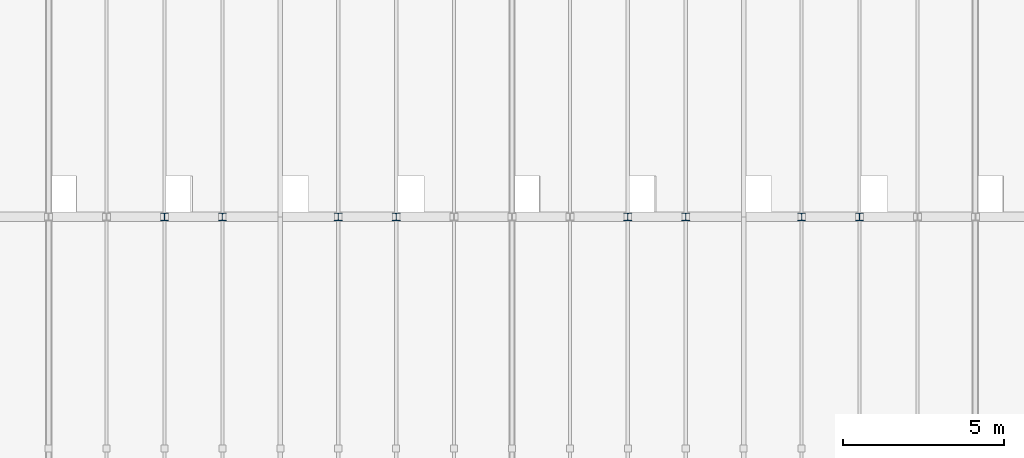
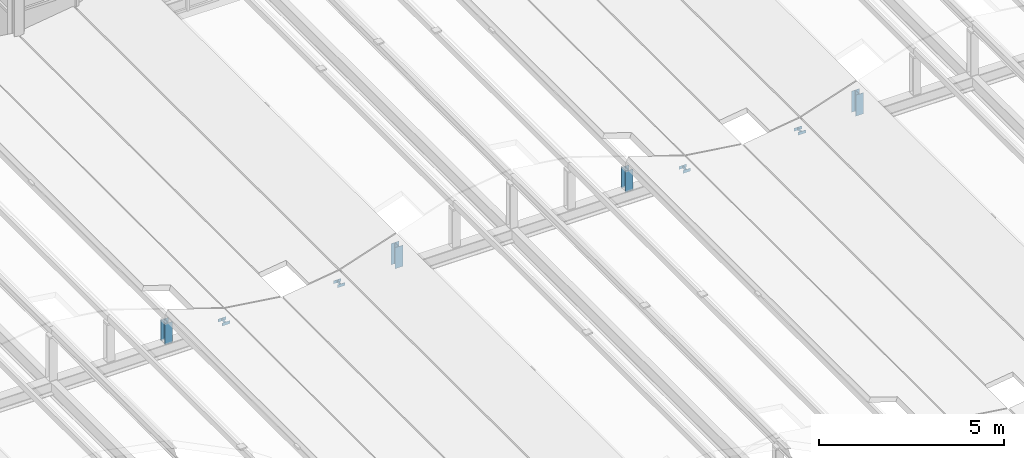
# One storey, part 45 of 83: 8 members.
"""IFC4 building model written with IfcOpenShell, lengths in metres."""

import ifcopenshell
import ifcopenshell.guid

model = None  # the IFC model being written
_history = None  # IfcOwnerHistory: only IFC2X3 demands one
_inside = {}  # id of a spatial element -> (the spatial element, [elements in it])
_under = {}  # id of a project, library or spatial element -> (it, [spatial elements below it])
_declared = {}  # id of a project -> (the project, [libraries it declares])
_typed = {}  # id of a type object -> (the type object, [elements of that type])
_made_of = {}  # id of a material, layer set ... -> (it, [elements and type objects made of it])


def new_model(schema):
    """Start an empty IFC model of exactly this schema.

    Asked for "IFC4X3", IfcOpenShell would pick the latest addendum, in which some entities
    have other attributes; the version numbers below select the first issue.
    IFC2X3 requires an IfcOwnerHistory on every rooted entity: one is made here for all.
    """
    global model, _history
    if schema == "IFC4X3":
        model = ifcopenshell.file(schema_version=(4, 3, 0, 0))
    else:
        model = ifcopenshell.file(schema=schema)
    _inside.clear()
    _under.clear()
    _declared.clear()
    _typed.clear()
    _made_of.clear()
    _history = None
    if model.schema == "IFC2X3":
        org = make("IfcOrganization", Name="unknown")
        user = make(
            "IfcPersonAndOrganization",
            ThePerson=make("IfcPerson", FamilyName="unknown"),
            TheOrganization=org,
        )
        app = make(
            "IfcApplication",
            ApplicationDeveloper=org,
            Version="unknown",
            ApplicationFullName="unknown",
            ApplicationIdentifier="unknown",
        )
        _history = make(
            "IfcOwnerHistory",
            OwningUser=user,
            OwningApplication=app,
            ChangeAction="ADDED",
            CreationDate=0,
        )
    return model


def make(cls, **values):
    """One entity of the class cls with the attributes given. An attribute that is None is left unset."""
    return model.create_entity(
        cls, **{name: value for name, value in values.items() if value is not None}
    )


def rooted(cls, **values):
    """An entity with a GlobalId (a new one), such as an element, a storey or a relation."""
    return make(cls, GlobalId=ifcopenshell.guid.new(), OwnerHistory=_history, **values)


def si_unit(unit_type, name, prefix=None):
    """IfcSIUnit, for example si_unit("LENGTHUNIT", "METRE", prefix="MILLI")."""
    return make("IfcSIUnit", UnitType=unit_type, Prefix=prefix, Name=name)


def assignment(units):
    """IfcUnitAssignment: the units of a project."""
    return None if units is None else make("IfcUnitAssignment", Units=units)


def point(xyz):
    """IfcCartesianPoint."""
    return None if xyz is None else make("IfcCartesianPoint", Coordinates=xyz)


def direction(xyz):
    """IfcDirection."""
    return None if xyz is None else make("IfcDirection", DirectionRatios=xyz)


def frame(location, z_axis=None, x_axis=None):
    """IfcAxis2Placement3D, a coordinate frame: its origin and axes. An axis left out is left unset."""
    return make(
        "IfcAxis2Placement3D",
        Location=point(location),
        Axis=direction(z_axis),
        RefDirection=direction(x_axis),
    )


def frame_2d(location, x_axis=None):
    """IfcAxis2Placement2D, a coordinate frame in the plane: its origin and x axis."""
    return make(
        "IfcAxis2Placement2D", Location=point(location), RefDirection=direction(x_axis)
    )


def origin():
    """The frame at (0, 0, 0) with its axes left unset."""
    return frame((0.0, 0.0, 0.0))


def origin_2d():
    """The frame at (0, 0) in the plane with its x axis left unset."""
    return frame_2d((0.0, 0.0))


def place(relative_to, where):
    """IfcLocalPlacement: puts the frame where relative to a parent placement (None: the world)."""
    return make(
        "IfcLocalPlacement", PlacementRelTo=relative_to, RelativePlacement=where
    )


def context(
    kind, dimensions, precision=None, world=None, true_north=None, identifier=None
):
    """IfcGeometricRepresentationContext, for example the 3D "Model" context."""
    return make(
        "IfcGeometricRepresentationContext",
        ContextIdentifier=identifier,
        ContextType=kind,
        CoordinateSpaceDimension=dimensions,
        Precision=precision,
        WorldCoordinateSystem=world,
        TrueNorth=true_north,
    )


def subcontext(parent, identifier, kind, view, scale=None):
    """IfcGeometricRepresentationSubContext, for example "Body" below "Model"."""
    return make(
        "IfcGeometricRepresentationSubContext",
        ContextIdentifier=identifier,
        ContextType=kind,
        ParentContext=parent,
        TargetScale=scale,
        TargetView=view,
    )


def project(units=None, contexts=None):
    """IfcProject with its units and contexts."""
    return rooted(
        "IfcProject",
        Name="project",
        RepresentationContexts=contexts,
        UnitsInContext=assignment(units),
    )


def spatial(cls, under=None, at=None, **own):
    """A site, building, storey or space (cls), placed at a placement, below another one or the project."""
    s = rooted(cls, ObjectPlacement=at, **own)
    if under is not None:
        _under.setdefault(under.id(), (under, []))[1].append(s)
    return s


def profile(cls, at=None, kind="AREA", **sizes):
    """A parametric profile (cls). Its sizes go by their IFC names, for example OverallWidth=200.0."""
    return make(cls, ProfileType=kind, Position=at, **sizes)


def i_section(**sizes):
    """IfcIShapeProfileDef."""
    return profile("IfcIShapeProfileDef", **sizes)


def extrude(swept, where, along, depth):
    """IfcExtrudedAreaSolid: the profile swept, set in the frame where, extruded along a direction by depth."""
    return make(
        "IfcExtrudedAreaSolid",
        SweptArea=swept,
        Position=where,
        ExtrudedDirection=direction(along),
        Depth=depth,
    )


def shape(context_of_items, identifier, shape_type, items):
    """IfcShapeRepresentation: the items that make up one representation, for example the "Body"."""
    return make(
        "IfcShapeRepresentation",
        ContextOfItems=context_of_items,
        RepresentationIdentifier=identifier,
        RepresentationType=shape_type,
        Items=items,
    )


def material(Name=None, Category=None):
    """IfcMaterial."""
    return make("IfcMaterial", Name=Name, Category=Category)


def material_profile(
    of_material, cross_section, Name=None, Category=None, Priority=None
):
    """IfcMaterialProfile: a cross section and its material."""
    return make(
        "IfcMaterialProfile",
        Name=Name,
        Material=of_material,
        Profile=cross_section,
        Priority=Priority,
        Category=Category,
    )


def profile_set(profiles, Name=None, composite=None):
    """IfcMaterialProfileSet."""
    return make(
        "IfcMaterialProfileSet",
        Name=Name,
        MaterialProfiles=profiles,
        CompositeProfile=composite,
    )


def made_of(thing, what):
    """Note that an element or type object is made of a material, layer set ...; save() writes the relation."""
    if what is not None:
        _made_of.setdefault(what.id(), (what, []))[1].append(thing)
    return thing


def type_object(cls, material=None, **own):
    """A type object (cls), such as IfcWallType, which elements share."""
    return made_of(rooted(cls, **own), material)


def element(
    cls,
    number,
    at=None,
    inside=None,
    cuts=None,
    type_object=None,
    material=None,
    context=None,
    identifier="Body",
    shape_type=None,
    held_by="IfcProductDefinitionShape",
    body=None,
    shapes=None,
    **own,
):
    """One element of the class cls, such as IfcWall. Its Tag is "e" and its number.

    at: its placement. inside: the storey or other place that contains it. cuts: it is an
    opening in that element (IfcRelVoidsElement). A single representation is given by context,
    identifier, shape_type and body (its items); several are given by shapes. held_by: the class
    of the entity that holds the representations. save() writes the other relations.
    """
    e = rooted(cls, Tag="e%d" % number, ObjectPlacement=at, **own)
    if body is not None:
        shapes = [shape(context, identifier, shape_type, body)]
    if shapes is not None:
        e.Representation = make(held_by, Representations=shapes)
    if inside is not None:
        _inside.setdefault(inside.id(), (inside, []))[1].append(e)
    if cuts is not None:
        rooted(
            "IfcRelVoidsElement", RelatingBuildingElement=cuts, RelatedOpeningElement=e
        )
    if type_object is not None:
        _typed.setdefault(type_object.id(), (type_object, []))[1].append(e)
    return made_of(e, material)


def aggregate(whole, parts):
    """IfcRelAggregates: a whole, such as a stair, and the parts it consists of."""
    return rooted("IfcRelAggregates", RelatingObject=whole, RelatedObjects=parts)


def save(model, path):
    """Write the relations noted so far, then the file.

    IfcRelAggregates (storeys below a building ...), IfcRelContainedInSpatialStructure (elements
    in a storey), IfcRelDefinesByType, IfcRelAssociatesMaterial and IfcRelDeclares: one each for
    every whole, place, type object, material and project.
    """
    for whole, parts in _under.values():
        aggregate(whole, parts)
    for where, things in _inside.values():
        rooted(
            "IfcRelContainedInSpatialStructure",
            RelatedElements=things,
            RelatingStructure=where,
        )
    for kind, things in _typed.values():
        rooted("IfcRelDefinesByType", RelatedObjects=things, RelatingType=kind)
    for what, things in _made_of.values():
        rooted("IfcRelAssociatesMaterial", RelatedObjects=things, RelatingMaterial=what)
    for by, libraries in _declared.values():
        rooted("IfcRelDeclares", RelatingContext=by, RelatedDefinitions=libraries)
    model.write(path)


model = new_model("IFC4")

# Units and contexts
model_context = context("Model", 3, precision=1e-05, world=origin(), true_north=direction((0.0, 1.0)))
body_context = subcontext(model_context, "Body", "Model", "MODEL_VIEW")
ifc_project = project(units=[si_unit("LENGTHUNIT", "METRE"), si_unit("AREAUNIT", "SQUARE_METRE"), si_unit("VOLUMEUNIT", "CUBIC_METRE"), si_unit("PLANEANGLEUNIT", "RADIAN"), si_unit("MASSUNIT", "GRAM", prefix="KILO")], contexts=[model_context])

# Site, building, storey
site_placement = place(None, origin())
site = spatial("IfcSite", under=ifc_project, at=site_placement, CompositionType="ELEMENT")
building_placement = place(site_placement, origin())
building = spatial("IfcBuilding", under=site, at=building_placement, Name="Leyfeld Transit Interchange", CompositionType="ELEMENT")
storey_placement = place(building_placement, frame((0.0, 0.0, 5.39990234375)))
storey = spatial("IfcBuildingStorey", under=building, at=storey_placement, Name="L01", CompositionType="ELEMENT", Elevation=5.39990234375)

# Members
ifc_material = material(Name="Steel S355J2", Category="steel")
ifc_material_profile = material_profile(ifc_material, i_section(OverallWidth=0.239990234375, OverallDepth=0.22998046875, WebThickness=0.007568359375, FlangeThickness=0.011962890625, FilletRadius=0.02099609375, at=origin_2d()), Name="HEA 240")
ifc_profile_set = profile_set([ifc_material_profile], Name="Steel S355J2")
member_type = type_object("IfcMemberType", Name="MEM-CHD-HEA240", PredefinedType="CHORD", material=ifc_profile_set)
member_1_placement = place(storey_placement, frame((133.199951171875, 28.800048828125, 0.860107421875), z_axis=(0.0, 0.0, 1.0), x_axis=(1.0, 0.0, 0.0)))
element("IfcMember", 1, at=member_1_placement, inside=storey, type_object=member_type, Name="Wave Canopy Riser Post 124", PredefinedType="CHORD", context=body_context, shape_type="SweptSolid", body=[
    extrude(i_section(OverallWidth=0.239990234375, OverallDepth=0.22998046875, WebThickness=0.007568359375, FlangeThickness=0.011962890625, FilletRadius=0.02099609375, at=origin_2d()), origin(), (0.0, 0.0, 1.0), 0.696533203125),
])
for number, where, z_axis, x_axis, name in (
    (2, (135.0, 28.800048828125, 0.860107421875), (0.0, 0.0, 1.0), (1.0, 0.0, 0.0), "Wave Canopy Riser Post 131"),
    (3, (138.60009765625, 28.800048828125, 0.860107421875), (0.0, 0.0, 1.0), (1.0, 0.0, 0.0), "Wave Canopy Riser Post 141"),
):
    element("IfcMember", number, at=place(storey_placement, frame(where, z_axis=z_axis, x_axis=x_axis)), inside=storey, type_object=member_type, Name=name, PredefinedType="CHORD", context=body_context, shape_type="SweptSolid", body=[
        extrude(i_section(OverallWidth=0.239990234375, OverallDepth=0.22998046875, WebThickness=0.007568359375, FlangeThickness=0.011962890625, FilletRadius=0.02099609375, at=origin_2d()), origin(), (0.0, 0.0, 1.0), 0.0947265625),
    ])
for number, where, z_axis, x_axis, name in (
    (4, (140.39990234375, 28.800048828125, 0.860107421875), (0.0, 0.0, 1.0), (1.0, 0.0, 0.0), "Wave Canopy Riser Post 148"),
    (5, (147.60009765625, 28.800048828125, 0.860107421875), (0.0, 0.0, 1.0), (1.0, 0.0, 0.0), "Wave Canopy Riser Post 176"),
):
    element("IfcMember", number, at=place(storey_placement, frame(where, z_axis=z_axis, x_axis=x_axis)), inside=storey, type_object=member_type, Name=name, PredefinedType="CHORD", context=body_context, shape_type="SweptSolid", body=[
        extrude(i_section(OverallWidth=0.239990234375, OverallDepth=0.22998046875, WebThickness=0.007568359375, FlangeThickness=0.011962890625, FilletRadius=0.02099609375, at=origin_2d()), origin(), (0.0, 0.0, 1.0), 0.696533203125),
    ])
for number, where, z_axis, x_axis, name in (
    (6, (149.39990234375, 28.800048828125, 0.860107421875), (0.0, 0.0, 1.0), (1.0, 0.0, 0.0), "Wave Canopy Riser Post 183"),
    (7, (153.0, 28.800048828125, 0.860107421875), (0.0, 0.0, 1.0), (1.0, 0.0, 0.0), "Wave Canopy Riser Post 193"),
):
    element("IfcMember", number, at=place(storey_placement, frame(where, z_axis=z_axis, x_axis=x_axis)), inside=storey, type_object=member_type, Name=name, PredefinedType="CHORD", context=body_context, shape_type="SweptSolid", body=[
        extrude(i_section(OverallWidth=0.239990234375, OverallDepth=0.22998046875, WebThickness=0.007568359375, FlangeThickness=0.011962890625, FilletRadius=0.02099609375, at=origin_2d()), origin(), (0.0, 0.0, 1.0), 0.0947265625),
    ])
member_2_placement = place(storey_placement, frame((154.800048828125, 28.800048828125, 0.860107421875), z_axis=(0.0, 0.0, 1.0), x_axis=(1.0, 0.0, 0.0)))
element("IfcMember", 8, at=member_2_placement, inside=storey, type_object=member_type, Name="Wave Canopy Riser Post 200", PredefinedType="CHORD", context=body_context, shape_type="SweptSolid", body=[
    extrude(i_section(OverallWidth=0.239990234375, OverallDepth=0.22998046875, WebThickness=0.007568359375, FlangeThickness=0.011962890625, FilletRadius=0.02099609375, at=origin_2d()), origin(), (0.0, 0.0, 1.0), 0.696533203125),
])

save(model, "model.ifc")
